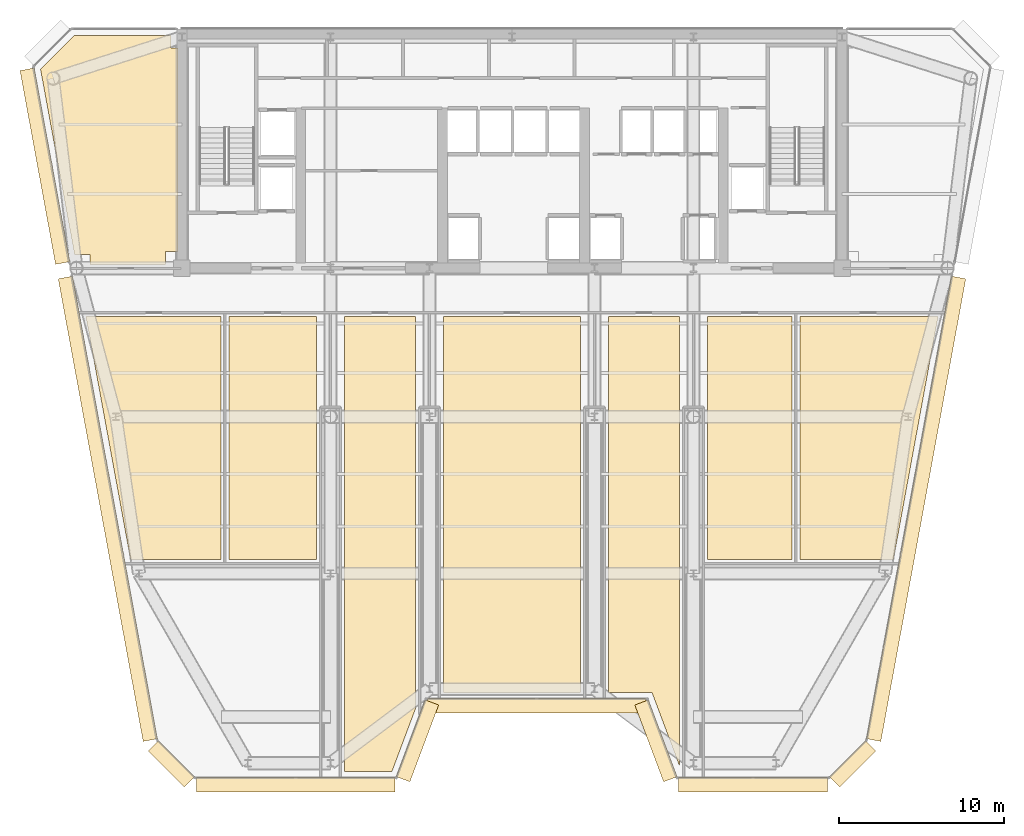
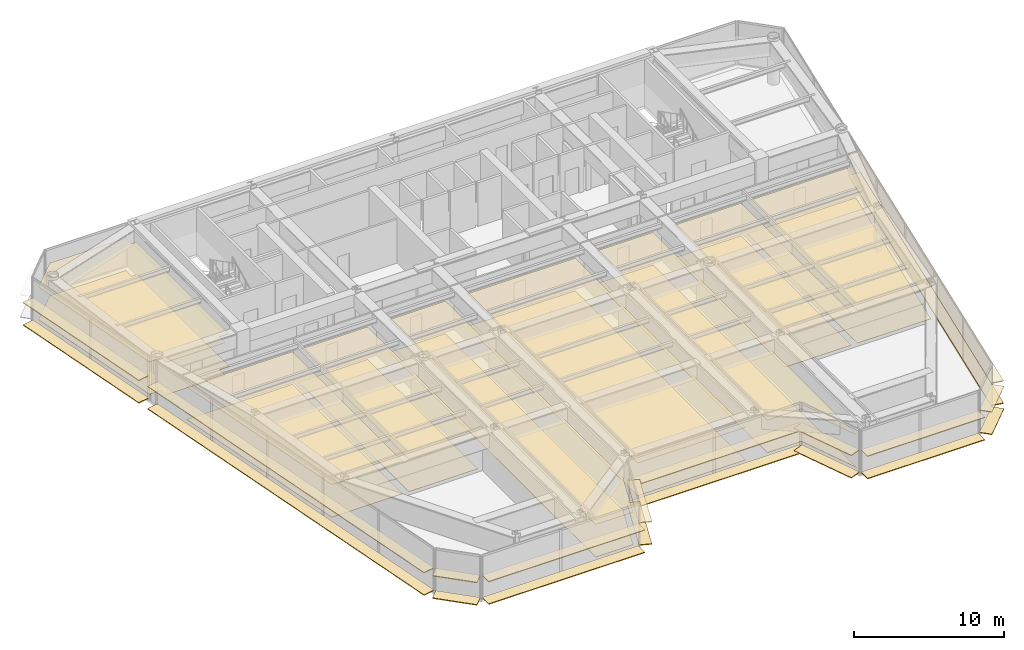
# One storey, part 13 of 16: 36 coverings.
"""IFC4 building model written with IfcOpenShell, lengths in metres."""

from ifc_helpers import new_model, si_unit, direction, frame, origin, origin_2d, place, context, subcontext, project, spatial, polyline, rectangle, outline, extrude, source, transform, mapped, material, layer, layer_set, type_object, element, save


model = new_model("IFC4")

# Units and contexts
model_context = context("Model", 3, precision=1e-05, world=origin(), true_north=direction((0.0, 1.0)))
body_context = subcontext(model_context, "Body", "Model", "MODEL_VIEW")
ifc_project = project(units=[si_unit("LENGTHUNIT", "METRE"), si_unit("AREAUNIT", "SQUARE_METRE"), si_unit("VOLUMEUNIT", "CUBIC_METRE"), si_unit("PLANEANGLEUNIT", "RADIAN"), si_unit("MASSUNIT", "GRAM", prefix="KILO")], contexts=[model_context])

# Site, building, storey
site_placement = place(None, origin())
site = spatial("IfcSite", under=ifc_project, at=site_placement, CompositionType="ELEMENT")
building_placement = place(site_placement, origin())
building = spatial("IfcBuilding", under=site, at=building_placement, Name="Vaeldorn Concourse Tower", CompositionType="ELEMENT")
storey_placement = place(building_placement, frame((0.0, 0.0, 203.199951171875)))
storey = spatial("IfcBuildingStorey", under=building, at=storey_placement, Name="L52", CompositionType="ELEMENT", Elevation=203.199951171875)

# Coverings
ifc_material_1 = material(Name="Acoustic Mineral Fibre Board", Category="gypsum")
ifc_layer_1 = layer(ifc_material_1, 0.0400390625)
ifc_layer_set_1 = layer_set([ifc_layer_1], Name="Acoustic Mineral Fibre Board")
covering_type_1 = type_object("IfcCoveringType", Name="COV-CEIL-ACOUSTIC", PredefinedType="CEILING", material=ifc_layer_set_1)
covering_1_placement = place(storey_placement, frame((0.0, 0.0, 2.650146484375)))
element("IfcCovering", 1, at=covering_1_placement, inside=storey, type_object=covering_type_1, Name="Suspended Acoustic Ceiling L52-4", PredefinedType="CEILING", context=body_context, shape_type="SweptSolid", body=[
    extrude(outline(polyline([(13.340087890625, 50.60009765625), (13.340087890625, 49.840087890625), (13.760009765625, 49.840087890625), (13.760009765625, 37.5), (13.0, 37.5), (13.0, 36.719970703125), (8.419921875, 36.719970703125), (8.419921875, 37.320068359375), (7.49609375, 37.320068359375), (5.431396484375, 48.565673828125), (7.4658203125, 50.60009765625), (13.340087890625, 50.60009765625)])), origin(), (0.0, 0.0, 1.0), 0.039794921875),
])
covering_2_placement = place(storey_placement, frame((0.0, 0.0, 2.650146484375)))
element("IfcCovering", 2, at=covering_2_placement, inside=storey, type_object=covering_type_1, Name="Suspended Acoustic Ceiling L52-6", PredefinedType="CEILING", context=body_context, shape_type="SweptSolid", body=[
    extrude(outline(polyline([(16.360107421875, 33.56005859375), (16.360107421875, 18.840087890625), (10.88916015625, 18.840087890625), (8.1865234375, 33.56005859375), (16.360107421875, 33.56005859375)])), origin(), (0.0, 0.0, 1.0), 0.039794921875),
])
covering_3_placement = place(storey_placement, frame((0.0, 0.0, 2.650146484375)))
element("IfcCovering", 3, at=covering_3_placement, inside=storey, type_object=covering_type_1, Name="Suspended Acoustic Ceiling L52-7", PredefinedType="CEILING", context=body_context, shape_type="SweptSolid", body=[
    extrude(outline(polyline([(16.840087890625, 33.56005859375), (22.159912109375, 33.56005859375), (22.159912109375, 18.840087890625), (16.840087890625, 18.840087890625), (16.840087890625, 33.56005859375)])), origin(), (0.0, 0.0, 1.0), 0.039794921875),
])
covering_4_placement = place(storey_placement, frame((0.0, 0.0, 2.650146484375)))
element("IfcCovering", 4, at=covering_4_placement, inside=storey, type_object=covering_type_1, Name="Suspended Acoustic Ceiling L52-8", PredefinedType="CEILING", context=body_context, shape_type="SweptSolid", body=[
    extrude(outline(polyline([(23.840087890625, 6.0), (23.840087890625, 33.56005859375), (28.159912109375, 33.56005859375), (28.159912109375, 9.83251953125), (26.722900390625, 6.0), (23.840087890625, 6.0)])), origin(), (0.0, 0.0, 1.0), 0.039794921875),
])
covering_5_placement = place(storey_placement, frame((0.0, 0.0, 2.650146484375)))
element("IfcCovering", 5, at=covering_5_placement, inside=storey, type_object=covering_type_1, Name="Suspended Acoustic Ceiling L52-9", PredefinedType="CEILING", context=body_context, shape_type="SweptSolid", body=[
    extrude(outline(polyline([(29.840087890625, 33.56005859375), (38.159912109375, 33.56005859375), (38.159912109375, 10.800048828125), (29.840087890625, 10.800048828125), (29.840087890625, 33.56005859375)])), origin(), (0.0, 0.0, 1.0), 0.039794921875),
])
covering_6_placement = place(storey_placement, frame((0.0, 0.0, 2.650146484375)))
element("IfcCovering", 6, at=covering_6_placement, inside=storey, type_object=covering_type_1, Name="Suspended Acoustic Ceiling L52-10", PredefinedType="CEILING", context=body_context, shape_type="SweptSolid", body=[
    extrude(outline(polyline([(39.840087890625, 10.800048828125), (39.840087890625, 33.56005859375), (44.159912109375, 33.56005859375), (44.159912109375, 6.3125), (42.477294921875, 10.800048828125), (39.840087890625, 10.800048828125)])), origin(), (0.0, 0.0, 1.0), 0.039794921875),
])
covering_7_placement = place(storey_placement, frame((0.0, 0.0, 2.650146484375)))
element("IfcCovering", 7, at=covering_7_placement, inside=storey, type_object=covering_type_1, Name="Suspended Acoustic Ceiling L52-11", PredefinedType="CEILING", context=body_context, shape_type="SweptSolid", body=[
    extrude(outline(polyline([(45.840087890625, 33.56005859375), (50.9599609375, 33.56005859375), (50.9599609375, 18.840087890625), (45.840087890625, 18.840087890625), (45.840087890625, 33.56005859375)])), origin(), (0.0, 0.0, 1.0), 0.039794921875),
])
covering_8_placement = place(storey_placement, frame((0.0, 0.0, 2.650146484375)))
element("IfcCovering", 8, at=covering_8_placement, inside=storey, type_object=covering_type_1, Name="Suspended Acoustic Ceiling L52-12", PredefinedType="CEILING", context=body_context, shape_type="SweptSolid", body=[
    extrude(outline(polyline([(51.43994140625, 18.840087890625), (51.43994140625, 33.56005859375), (59.8134765625, 33.56005859375), (57.11083984375, 18.840087890625), (51.43994140625, 18.840087890625)])), origin(), (0.0, 0.0, 1.0), 0.039794921875),
])
ifc_material_2 = material(Name="Honed Limestone Terrazzo Flooring", Category="masonry")
ifc_layer_2 = layer(ifc_material_2, 0.0400390625)
ifc_layer_set_2 = layer_set([ifc_layer_2], Name="Honed Limestone Terrazzo Flooring")
covering_type_2 = type_object("IfcCoveringType", Name="COV-FLOOR-STONE", PredefinedType="FLOORING", material=ifc_layer_set_2)
covering_9_placement = place(storey_placement, origin())
element("IfcCovering", 9, at=covering_9_placement, inside=storey, type_object=covering_type_2, Name="Floor Finish Covering L52-4", PredefinedType="FLOORING", context=body_context, shape_type="SweptSolid", body=[
    extrude(outline(polyline([(13.340087890625, 50.60009765625), (13.340087890625, 49.840087890625), (13.760009765625, 49.840087890625), (13.760009765625, 37.5), (13.0, 37.5), (13.0, 36.719970703125), (8.419921875, 36.719970703125), (8.419921875, 37.320068359375), (7.49609375, 37.320068359375), (5.431396484375, 48.565673828125), (7.4658203125, 50.60009765625), (13.340087890625, 50.60009765625)])), origin(), (0.0, 0.0, 1.0), 0.030029296875),
])
covering_10_placement = place(storey_placement, origin())
element("IfcCovering", 10, at=covering_10_placement, inside=storey, type_object=covering_type_2, Name="Floor Finish Covering L52-6", PredefinedType="FLOORING", context=body_context, shape_type="SweptSolid", body=[
    extrude(outline(polyline([(16.360107421875, 33.56005859375), (16.360107421875, 18.840087890625), (10.88916015625, 18.840087890625), (8.1865234375, 33.56005859375), (16.360107421875, 33.56005859375)])), origin(), (0.0, 0.0, 1.0), 0.030029296875),
])
covering_11_placement = place(storey_placement, origin())
element("IfcCovering", 11, at=covering_11_placement, inside=storey, type_object=covering_type_2, Name="Floor Finish Covering L52-7", PredefinedType="FLOORING", context=body_context, shape_type="SweptSolid", body=[
    extrude(outline(polyline([(16.840087890625, 33.56005859375), (22.159912109375, 33.56005859375), (22.159912109375, 18.840087890625), (16.840087890625, 18.840087890625), (16.840087890625, 33.56005859375)])), origin(), (0.0, 0.0, 1.0), 0.030029296875),
])
covering_12_placement = place(storey_placement, origin())
element("IfcCovering", 12, at=covering_12_placement, inside=storey, type_object=covering_type_2, Name="Floor Finish Covering L52-8", PredefinedType="FLOORING", context=body_context, shape_type="SweptSolid", body=[
    extrude(outline(polyline([(23.840087890625, 6.0), (23.840087890625, 33.56005859375), (28.159912109375, 33.56005859375), (28.159912109375, 9.83251953125), (26.722900390625, 6.0), (23.840087890625, 6.0)])), origin(), (0.0, 0.0, 1.0), 0.030029296875),
])
covering_13_placement = place(storey_placement, origin())
element("IfcCovering", 13, at=covering_13_placement, inside=storey, type_object=covering_type_2, Name="Floor Finish Covering L52-9", PredefinedType="FLOORING", context=body_context, shape_type="SweptSolid", body=[
    extrude(outline(polyline([(29.840087890625, 33.56005859375), (38.159912109375, 33.56005859375), (38.159912109375, 10.800048828125), (29.840087890625, 10.800048828125), (29.840087890625, 33.56005859375)])), origin(), (0.0, 0.0, 1.0), 0.030029296875),
])
covering_14_placement = place(storey_placement, origin())
element("IfcCovering", 14, at=covering_14_placement, inside=storey, type_object=covering_type_2, Name="Floor Finish Covering L52-10", PredefinedType="FLOORING", context=body_context, shape_type="SweptSolid", body=[
    extrude(outline(polyline([(39.840087890625, 10.800048828125), (39.840087890625, 33.56005859375), (44.159912109375, 33.56005859375), (44.159912109375, 6.3125), (42.477294921875, 10.800048828125), (39.840087890625, 10.800048828125)])), origin(), (0.0, 0.0, 1.0), 0.030029296875),
])
covering_15_placement = place(storey_placement, origin())
element("IfcCovering", 15, at=covering_15_placement, inside=storey, type_object=covering_type_2, Name="Floor Finish Covering L52-11", PredefinedType="FLOORING", context=body_context, shape_type="SweptSolid", body=[
    extrude(outline(polyline([(45.840087890625, 33.56005859375), (50.9599609375, 33.56005859375), (50.9599609375, 18.840087890625), (45.840087890625, 18.840087890625), (45.840087890625, 33.56005859375)])), origin(), (0.0, 0.0, 1.0), 0.030029296875),
])
covering_16_placement = place(storey_placement, origin())
element("IfcCovering", 16, at=covering_16_placement, inside=storey, type_object=covering_type_2, Name="Floor Finish Covering L52-12", PredefinedType="FLOORING", context=body_context, shape_type="SweptSolid", body=[
    extrude(outline(polyline([(51.43994140625, 18.840087890625), (51.43994140625, 33.56005859375), (59.8134765625, 33.56005859375), (57.11083984375, 18.840087890625), (51.43994140625, 18.840087890625)])), origin(), (0.0, 0.0, 1.0), 0.030029296875),
])
ifc_material_3 = material(Name="Anodised Bronze Aluminium", Category="aluminium")
ifc_layer_3 = layer(ifc_material_3, 0.06494140625)
ifc_layer_set_3 = layer_set([ifc_layer_3], Name="Anodised Bronze Aluminium")
covering_type_3 = type_object("IfcCoveringType", Name="SD-BRONZE-SUNSHADE", PredefinedType="USERDEFINED", material=ifc_layer_set_3)
shared_shape_1 = source(origin(), body_context, "Body", "SweptSolid", [
    extrude(rectangle(XDim=4.96630859375, YDim=0.8798828125, at=origin_2d()), origin(), (0.0, 0.0, 1.0), 0.06494140625),
])
for number, where, z_axis, x_axis, name in (
    (17, (28.2744140625, 7.859619140625, 0.047607421875), (0.0, 0.0, 1.0), (0.351122702609, 0.936329454686, 0.0), "Horizontal Bronze Sunshade L52-E02.1.1"),
    (18, (28.2744140625, 7.859619140625, 1.86767578125), (0.0, 0.0, 1.0), (0.351122702609, 0.936329454686, 0.0), "Horizontal Bronze Sunshade L52-E02.1.2"),
    (19, (42.7255859375, 7.859619140625, 0.047607421875), (0.0, 0.0, 1.0), (0.351122702609, -0.936329454686, 0.0), "Horizontal Bronze Sunshade L52-E04.1.1"),
    (20, (42.7255859375, 7.859619140625, 1.86767578125), (0.0, 0.0, 1.0), (0.351122702609, -0.936329454686, 0.0), "Horizontal Bronze Sunshade L52-E04.1.2"),
):
    element("IfcCovering", number, at=place(storey_placement, frame(where, z_axis=z_axis, x_axis=x_axis)), inside=storey, type_object=covering_type_3, Name=name, ObjectType="SUNSHADE", PredefinedType="USERDEFINED", context=body_context, shape_type="MappedRepresentation", body=[
        mapped(shared_shape_1, transform((0.0, 0.0, 0.0), scale=1.0)),
    ])
shared_shape_2 = source(origin(), body_context, "Body", "SweptSolid", [
    extrude(rectangle(XDim=13.239990234375, YDim=0.8798828125, at=origin_2d()), origin(), (0.0, 0.0, 1.0), 0.06494140625),
])
for number, where, z_axis, x_axis, name in (
    (21, (35.5, 10.0, 0.047607421875), (0.0, 0.0, 1.0), (1.0, 0.0, 0.0), "Horizontal Bronze Sunshade L52-E03.1.1"),
    (22, (35.5, 10.0, 1.86767578125), (0.0, 0.0, 1.0), (1.0, 0.0, 0.0), "Horizontal Bronze Sunshade L52-E03.1.2"),
):
    element("IfcCovering", number, at=place(storey_placement, frame(where, z_axis=z_axis, x_axis=x_axis)), inside=storey, type_object=covering_type_3, Name=name, ObjectType="SUNSHADE", PredefinedType="USERDEFINED", context=body_context, shape_type="MappedRepresentation", body=[
        mapped(shared_shape_2, transform((0.0, 0.0, 0.0), scale=1.0)),
    ])
shared_shape_3 = source(origin(), body_context, "Body", "SweptSolid", [
    extrude(rectangle(XDim=3.0927734375, YDim=0.8798828125, at=origin_2d()), origin(), (0.0, 0.0, 1.0), 0.06494140625),
])
for number, where, z_axis, x_axis, name in (
    (23, (54.641845703125, 6.46728515625, 0.047607421875), (0.0, 0.0, 1.0), (0.707106781187, 0.707106781187, 0.0), "Horizontal Bronze Sunshade L52-E06.1.1"),
    (24, (54.641845703125, 6.46728515625, 1.86767578125), (0.0, 0.0, 1.0), (0.707106781187, 0.707106781187, 0.0), "Horizontal Bronze Sunshade L52-E06.1.2"),
    (25, (13.358154296875, 6.46728515625, 0.047607421875), (0.0, 0.0, 1.0), (0.707106781187, -0.707106781187, 0.0), "Horizontal Bronze Sunshade L52-E12.1.1"),
    (26, (13.358154296875, 6.46728515625, 1.86767578125), (0.0, 0.0, 1.0), (0.707106781187, -0.707106781187, 0.0), "Horizontal Bronze Sunshade L52-E12.1.2"),
):
    element("IfcCovering", number, at=place(storey_placement, frame(where, z_axis=z_axis, x_axis=x_axis)), inside=storey, type_object=covering_type_3, Name=name, ObjectType="SUNSHADE", PredefinedType="USERDEFINED", context=body_context, shape_type="MappedRepresentation", body=[
        mapped(shared_shape_3, transform((0.0, 0.0, 0.0), scale=1.0)),
    ])
shared_shape_4 = source(origin(), body_context, "Body", "SweptSolid", [
    extrude(rectangle(XDim=28.49462890625, YDim=0.8798828125, at=origin_2d()), origin(), (0.0, 0.0, 1.0), 0.06494140625),
])
for number, where, z_axis, x_axis, name in (
    (27, (58.48974609375, 21.91943359375, 0.047607421875), (0.0, 0.0, 1.0), (0.180587811053, 0.983558865803, 0.0), "Horizontal Bronze Sunshade L52-E07.1.1"),
    (28, (58.48974609375, 21.91943359375, 1.86767578125), (0.0, 0.0, 1.0), (0.180587811053, 0.983558865803, 0.0), "Horizontal Bronze Sunshade L52-E07.1.2"),
    (29, (9.51025390625, 21.91943359375, 0.047607421875), (0.0, 0.0, 1.0), (0.180587811053, -0.983558865803, 0.0), "Horizontal Bronze Sunshade L52-E11.2.1"),
    (30, (9.51025390625, 21.91943359375, 1.86767578125), (0.0, 0.0, 1.0), (0.180587811053, -0.983558865803, 0.0), "Horizontal Bronze Sunshade L52-E11.2.2"),
):
    element("IfcCovering", number, at=place(storey_placement, frame(where, z_axis=z_axis, x_axis=x_axis)), inside=storey, type_object=covering_type_3, Name=name, ObjectType="SUNSHADE", PredefinedType="USERDEFINED", context=body_context, shape_type="MappedRepresentation", body=[
        mapped(shared_shape_4, transform((0.0, 0.0, 0.0), scale=1.0)),
    ])
shared_shape_5 = source(origin(), body_context, "Body", "SweptSolid", [
    extrude(rectangle(XDim=11.931396484375, YDim=0.8798828125, at=origin_2d()), origin(), (0.0, 0.0, 1.0), 0.06494140625),
])
for number, where, z_axis, x_axis, name in (
    (31, (5.6982421875, 42.681396484375, 0.047607421875), (0.0, 0.0, 1.0), (0.180587811053, -0.983558865803, 0.0), "Horizontal Bronze Sunshade L52-E11.1.1"),
    (32, (5.6982421875, 42.681396484375, 1.86767578125), (0.0, 0.0, 1.0), (0.180587811053, -0.983558865803, 0.0), "Horizontal Bronze Sunshade L52-E11.1.2"),
):
    element("IfcCovering", number, at=place(storey_placement, frame(where, z_axis=z_axis, x_axis=x_axis)), inside=storey, type_object=covering_type_3, Name=name, ObjectType="SUNSHADE", PredefinedType="USERDEFINED", context=body_context, shape_type="MappedRepresentation", body=[
        mapped(shared_shape_5, transform((0.0, 0.0, 0.0), scale=1.0)),
    ])
shared_shape_6 = source(origin(), body_context, "Body", "SweptSolid", [
    extrude(rectangle(XDim=12.049072265625, YDim=0.8798828125, at=origin_2d()), origin(), (0.0, 0.0, 1.0), 0.06494140625),
])
for number, where, z_axis, x_axis, name in (
    (33, (20.8955078125, 5.199951171875, 0.047607421875), (0.0, 0.0, 1.0), (1.0, 0.0, 0.0), "Horizontal Bronze Sunshade L52-E01.1.1"),
    (34, (20.8955078125, 5.199951171875, 1.86767578125), (0.0, 0.0, 1.0), (1.0, 0.0, 0.0), "Horizontal Bronze Sunshade L52-E01.1.2"),
):
    element("IfcCovering", number, at=place(storey_placement, frame(where, z_axis=z_axis, x_axis=x_axis)), inside=storey, type_object=covering_type_3, Name=name, ObjectType="SUNSHADE", PredefinedType="USERDEFINED", context=body_context, shape_type="MappedRepresentation", body=[
        mapped(shared_shape_6, transform((0.0, 0.0, 0.0), scale=1.0)),
    ])
shared_shape_7 = source(origin(), body_context, "Body", "SweptSolid", [
    extrude(rectangle(XDim=9.049072265625, YDim=0.8798828125, at=origin_2d()), origin(), (0.0, 0.0, 1.0), 0.06494140625),
])
for number, where, z_axis, x_axis, name in (
    (35, (48.6044921875, 5.199951171875, 0.047607421875), (0.0, 0.0, 1.0), (1.0, 0.0, 0.0), "Horizontal Bronze Sunshade L52-E05.1.1"),
    (36, (48.6044921875, 5.199951171875, 1.86767578125), (0.0, 0.0, 1.0), (1.0, 0.0, 0.0), "Horizontal Bronze Sunshade L52-E05.1.2"),
):
    element("IfcCovering", number, at=place(storey_placement, frame(where, z_axis=z_axis, x_axis=x_axis)), inside=storey, type_object=covering_type_3, Name=name, ObjectType="SUNSHADE", PredefinedType="USERDEFINED", context=body_context, shape_type="MappedRepresentation", body=[
        mapped(shared_shape_7, transform((0.0, 0.0, 0.0), scale=1.0)),
    ])

save(model, "model.ifc")
